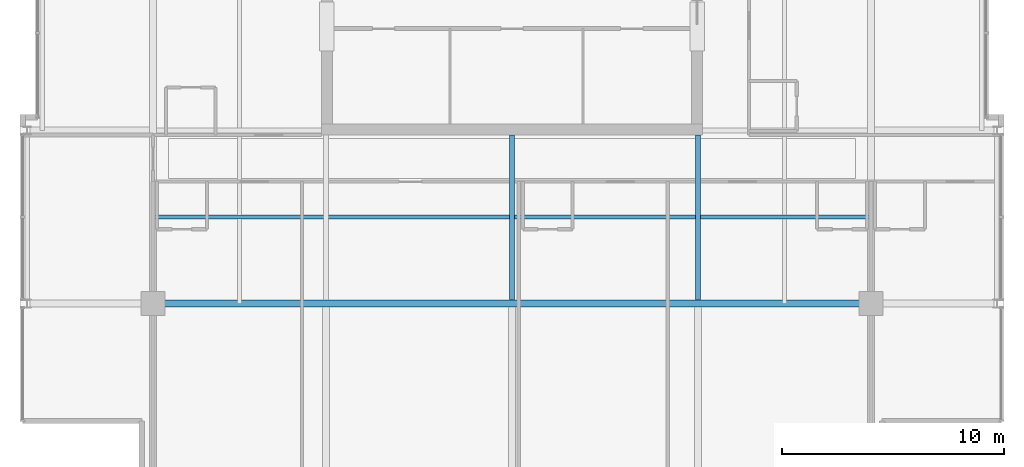
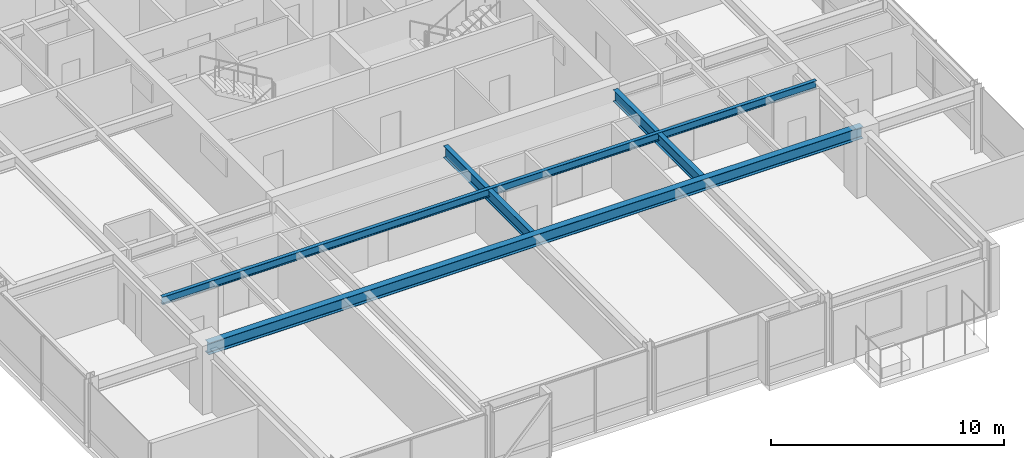
# One storey, part 9 of 32: 4 beams.
"""IFC4 building model written with IfcOpenShell, lengths in metres."""

from ifc_helpers import new_model, si_unit, direction, frame, origin, origin_2d, place, context, subcontext, project, spatial, i_section, extrude, material, material_profile, profile_set, type_object, element, save


model = new_model("IFC4")

# Units and contexts
model_context = context("Model", 3, precision=1e-05, world=origin(), true_north=direction((0.0, 1.0)))
body_context = subcontext(model_context, "Body", "Model", "MODEL_VIEW")
ifc_project = project(units=[si_unit("LENGTHUNIT", "METRE"), si_unit("AREAUNIT", "SQUARE_METRE"), si_unit("VOLUMEUNIT", "CUBIC_METRE"), si_unit("PLANEANGLEUNIT", "RADIAN"), si_unit("MASSUNIT", "GRAM", prefix="KILO")], contexts=[model_context])

# Site, building, storey
site_placement = place(None, origin())
site = spatial("IfcSite", under=ifc_project, at=site_placement, CompositionType="ELEMENT")
building_placement = place(site_placement, origin())
building = spatial("IfcBuilding", under=site, at=building_placement, Name="Drelvath Grand Hotel", CompositionType="ELEMENT")
storey_placement = place(building_placement, frame((0.0, 0.0, 237.5)))
storey = spatial("IfcBuildingStorey", under=building, at=storey_placement, Name="L62", CompositionType="ELEMENT", Elevation=237.5)

# Beams
ifc_material = material(Name="Steel ASTM A992 Gr 50", Category="steel")
ifc_material_profile_1 = material_profile(ifc_material, i_section(OverallWidth=0.177734375, OverallDepth=0.40673828125, WebThickness=0.0078125, FlangeThickness=0.0126953125, FilletRadius=0.014892578125, at=origin_2d()), Name="W16X40")
ifc_profile_set_1 = profile_set([ifc_material_profile_1], Name="Steel ASTM A992 Gr 50")
beam_type_1 = type_object("IfcBeamType", Name="Composite Floor Joist W16X40", PredefinedType="JOIST", material=ifc_profile_set_1)
beam_1_placement = place(storey_placement, frame((-16.199951171875, 14.699951171875, 3.13671875), z_axis=(1.0, 0.0, 0.0), x_axis=(0.0, 1.0, 0.0)))
element("IfcBeam", 1, at=beam_1_placement, inside=storey, type_object=beam_type_1, Name="L62 Floor Joist J1", PredefinedType="JOIST", context=body_context, shape_type="SweptSolid", body=[
    extrude(i_section(OverallWidth=0.177734375, OverallDepth=0.40673828125, WebThickness=0.0078125, FlangeThickness=0.0126953125, FilletRadius=0.014892578125, at=origin_2d()), origin(), (0.0, 0.0, 1.0), 32.39990234375),
])
ifc_material_profile_2 = material_profile(ifc_material, i_section(OverallWidth=0.323974609375, OverallDepth=0.611083984375, WebThickness=0.0126953125, FlangeThickness=0.01904296875, FilletRadius=0.02197265625, at=origin_2d()), Name="W24X104")
ifc_profile_set_2 = profile_set([ifc_material_profile_2], Name="Steel ASTM A992 Gr 50")
beam_type_2 = type_object("IfcBeamType", Name="Primary Floor Girder W24X104", PredefinedType="BEAM", material=ifc_profile_set_2)
beam_2_placement = place(storey_placement, frame((-16.199951171875, 10.800048828125, 3.034423828125), z_axis=(1.0, 0.0, 0.0), x_axis=(0.0, 1.0, 0.0)))
element("IfcBeam", 2, at=beam_2_placement, inside=storey, type_object=beam_type_2, Name="L62 Mega Ring Girder South", PredefinedType="BEAM", context=body_context, shape_type="SweptSolid", body=[
    extrude(i_section(OverallWidth=0.323974609375, OverallDepth=0.611083984375, WebThickness=0.0126953125, FlangeThickness=0.01904296875, FilletRadius=0.02197265625, at=origin_2d()), origin(), (0.0, 0.0, 1.0), 32.39990234375),
])
ifc_material_profile_3 = material_profile(ifc_material, i_section(OverallWidth=0.228271484375, OverallDepth=0.607666015625, WebThickness=0.01123046875, FlangeThickness=0.017333984375, FilletRadius=0.02001953125, at=origin_2d()), Name="W24X76")
ifc_profile_set_3 = profile_set([ifc_material_profile_3], Name="Steel ASTM A992 Gr 50")
beam_type_3 = type_object("IfcBeamType", Name="Primary Floor Girder W24X76", PredefinedType="BEAM", material=ifc_profile_set_3)
for number, where, z_axis, x_axis, name in (
    (3, (0.0, 10.9619140625, 3.0361328125), (0.0, 1.0, 0.0), (-1.0, 0.0, 0.0), "L62 South Core Tie 5"),
    (4, (8.39990234375, 10.9619140625, 3.0361328125), (0.0, 1.0, 0.0), (-1.0, 0.0, 0.0), "L62 South Core Tie 6"),
):
    element("IfcBeam", number, at=place(storey_placement, frame(where, z_axis=z_axis, x_axis=x_axis)), inside=storey, type_object=beam_type_3, Name=name, PredefinedType="BEAM", context=body_context, shape_type="SweptSolid", body=[
        extrude(i_section(OverallWidth=0.228271484375, OverallDepth=0.607666015625, WebThickness=0.01123046875, FlangeThickness=0.017333984375, FilletRadius=0.02001953125, at=origin_2d()), origin(), (0.0, 0.0, 1.0), 7.43798828125),
    ])

save(model, "model.ifc")
